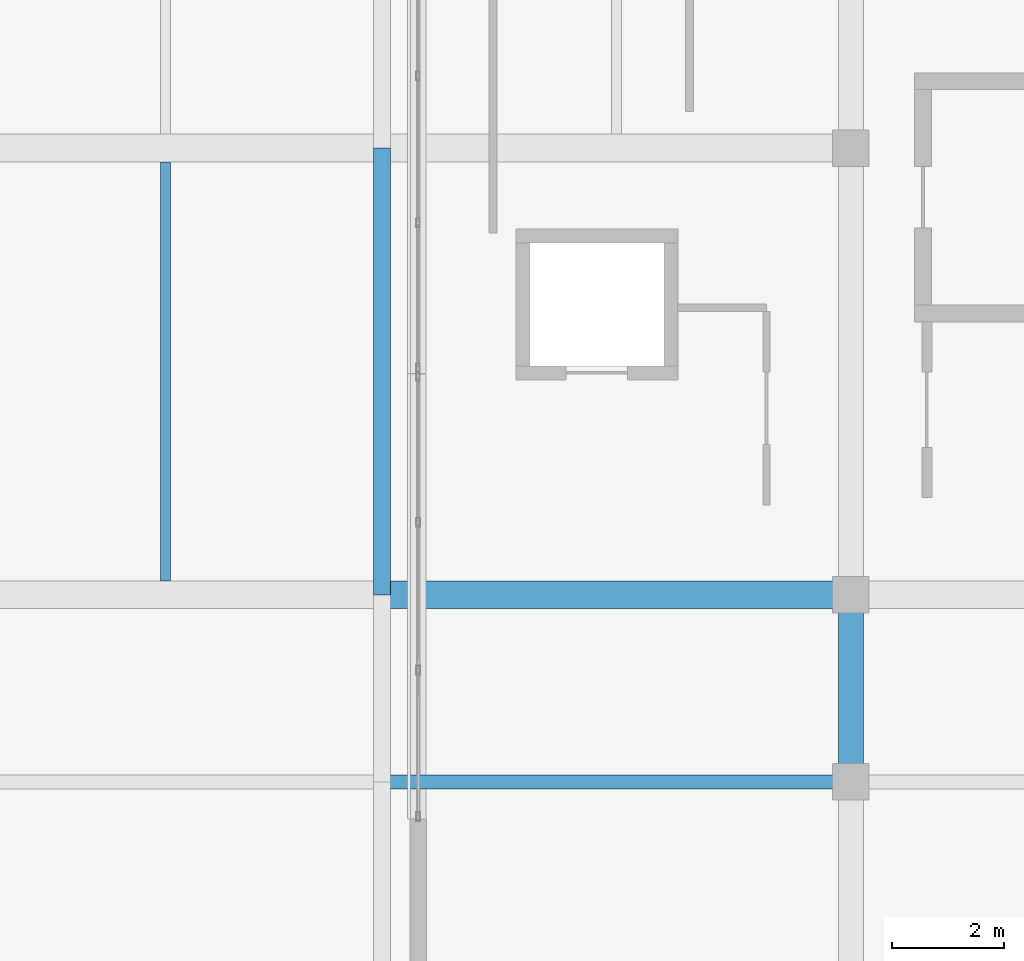
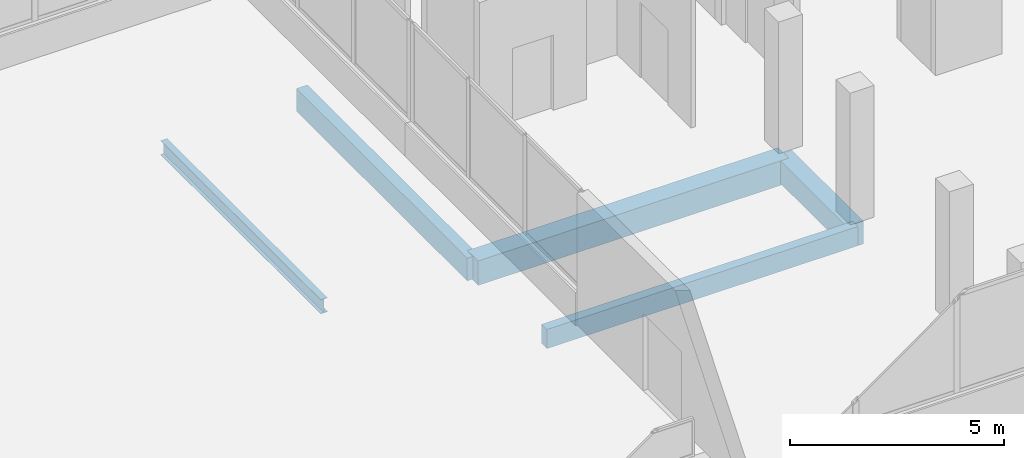
# One storey, part 44 of 78: 5 beams.
"""IFC4 building model written with IfcOpenShell, lengths in metres."""

from ifc_helpers import new_model, si_unit, direction, frame, origin, origin_2d, place, context, subcontext, project, spatial, rectangle, i_section, extrude, material, material_profile, profile_set, type_object, element, save


model = new_model("IFC4")

# Units and contexts
model_context = context("Model", 3, precision=1e-05, world=origin(), true_north=direction((0.0, 1.0)))
body_context = subcontext(model_context, "Body", "Model", "MODEL_VIEW")
ifc_project = project(units=[si_unit("LENGTHUNIT", "METRE"), si_unit("AREAUNIT", "SQUARE_METRE"), si_unit("VOLUMEUNIT", "CUBIC_METRE"), si_unit("PLANEANGLEUNIT", "RADIAN"), si_unit("MASSUNIT", "GRAM", prefix="KILO")], contexts=[model_context])

# Site, building, storey
site_placement = place(None, origin())
site = spatial("IfcSite", under=ifc_project, at=site_placement, CompositionType="ELEMENT")
building_placement = place(site_placement, origin())
building = spatial("IfcBuilding", under=site, at=building_placement, Name="Selatvlak General Hospital", CompositionType="ELEMENT")
storey_placement = place(building_placement, frame((0.0, 0.0, 23.25)))
storey = spatial("IfcBuildingStorey", under=building, at=storey_placement, Name="L05", CompositionType="ELEMENT", Elevation=23.25)

# Beams
ifc_material_1 = material(Name="Concrete C40/50", Category="concrete")
ifc_material_profile_1 = material_profile(ifc_material_1, rectangle(XDim=0.5, YDim=0.699951171875, at=origin_2d()), Name="RC-BM 500x700")
ifc_profile_set_1 = profile_set([ifc_material_profile_1], Name="Concrete C40/50")
beam_type_1 = type_object("IfcBeamType", Name="BM-G03", PredefinedType="BEAM", material=ifc_profile_set_1)
beam_1_placement = place(storey_placement, frame((148.14990234375, 76.0, -0.6298828125), z_axis=(1.0, 0.0, 0.0), x_axis=(0.0, 1.0, 0.0)))
element("IfcBeam", 1, at=beam_1_placement, inside=storey, type_object=beam_type_1, Name="Beam BMR-L05-1875", PredefinedType="BEAM", context=body_context, shape_type="SweptSolid", body=[
    extrude(rectangle(XDim=0.5, YDim=0.699951171875, at=origin_2d()), origin(), (0.0, 0.0, 1.0), 8.400146484375),
])
ifc_material_profile_2 = material_profile(ifc_material_1, rectangle(XDim=0.449951171875, YDim=0.64990234375, at=origin_2d()), Name="RC-BM 450x650")
ifc_profile_set_2 = profile_set([ifc_material_profile_2], Name="Concrete C40/50")
beam_type_2 = type_object("IfcBeamType", Name="BM-G04", PredefinedType="BEAM", material=ifc_profile_set_2)
beam_2_placement = place(storey_placement, frame((156.550048828125, 72.64990234375, -0.60498046875), z_axis=(0.0, 1.0, 0.0), x_axis=(-1.0, 0.0, 0.0)))
element("IfcBeam", 2, at=beam_2_placement, inside=storey, type_object=beam_type_2, Name="Beam BMR-L05-2080", PredefinedType="BEAM", context=body_context, shape_type="SweptSolid", body=[
    extrude(rectangle(XDim=0.449951171875, YDim=0.64990234375, at=origin_2d()), origin(), (0.0, 0.0, 1.0), 3.35009765625),
])
ifc_material_2 = material(Name="Steel S355", Category="steel")
ifc_material_profile_3 = material_profile(ifc_material_2, i_section(OverallWidth=0.177978515625, OverallDepth=0.406494140625, WebThickness=0.0078125, FlangeThickness=0.0126953125, at=origin_2d()), Name="UB 406x178x60")
ifc_profile_set_3 = profile_set([ifc_material_profile_3], Name="Steel S355")
beam_type_3 = type_object("IfcBeamType", Name="BM-J04", PredefinedType="JOIST", material=ifc_profile_set_3)
beam_3_placement = place(storey_placement, frame((144.27490234375, 76.25, -0.5029296875), z_axis=(0.0, 1.0, 0.0), x_axis=(-1.0, 0.0, 0.0)))
element("IfcBeam", 3, at=beam_3_placement, inside=storey, type_object=beam_type_3, Name="Beam BMR-L05-2120", PredefinedType="JOIST", context=body_context, shape_type="SweptSolid", body=[
    extrude(i_section(OverallWidth=0.177978515625, OverallDepth=0.406494140625, WebThickness=0.0078125, FlangeThickness=0.0126953125, at=origin_2d()), origin(), (0.0, 0.0, 1.0), 7.5),
])
ifc_material_profile_4 = material_profile(ifc_material_1, rectangle(XDim=0.300048828125, YDim=0.64990234375, at=origin_2d()), Name="RC-SP 300x650")
ifc_profile_set_4 = profile_set([ifc_material_profile_4], Name="Concrete C40/50")
beam_type_4 = type_object("IfcBeamType", Name="BM-SP1", PredefinedType="SPANDREL", material=ifc_profile_set_4)
beam_4_placement = place(storey_placement, frame((148.14990234375, 76.0, -0.625), z_axis=(0.0, 1.0, 0.0), x_axis=(-1.0, 0.0, 0.0)))
element("IfcBeam", 4, at=beam_4_placement, inside=storey, type_object=beam_type_4, Name="Beam BMR-L05-2073", PredefinedType="SPANDREL", context=body_context, shape_type="SweptSolid", body=[
    extrude(rectangle(XDim=0.300048828125, YDim=0.64990234375, at=origin_2d()), origin(), (0.0, 0.0, 1.0), 8.0),
])
ifc_material_profile_5 = material_profile(ifc_material_1, rectangle(XDim=0.25, YDim=0.550048828125, at=origin_2d()), Name="RC-SP 250x550")
ifc_profile_set_5 = profile_set([ifc_material_profile_5], Name="Concrete C40/50")
beam_type_5 = type_object("IfcBeamType", Name="BM-SP2", PredefinedType="SPANDREL", material=ifc_profile_set_5)
beam_5_placement = place(storey_placement, frame((148.14990234375, 72.64990234375, -0.554931640625), z_axis=(1.0, 0.0, 0.0), x_axis=(0.0, 1.0, 0.0)))
element("IfcBeam", 5, at=beam_5_placement, inside=storey, type_object=beam_type_5, Name="Beam BMR-L05-1867", PredefinedType="SPANDREL", context=body_context, shape_type="SweptSolid", body=[
    extrude(rectangle(XDim=0.25, YDim=0.550048828125, at=origin_2d()), origin(), (0.0, 0.0, 1.0), 8.400146484375),
])

save(model, "model.ifc")
